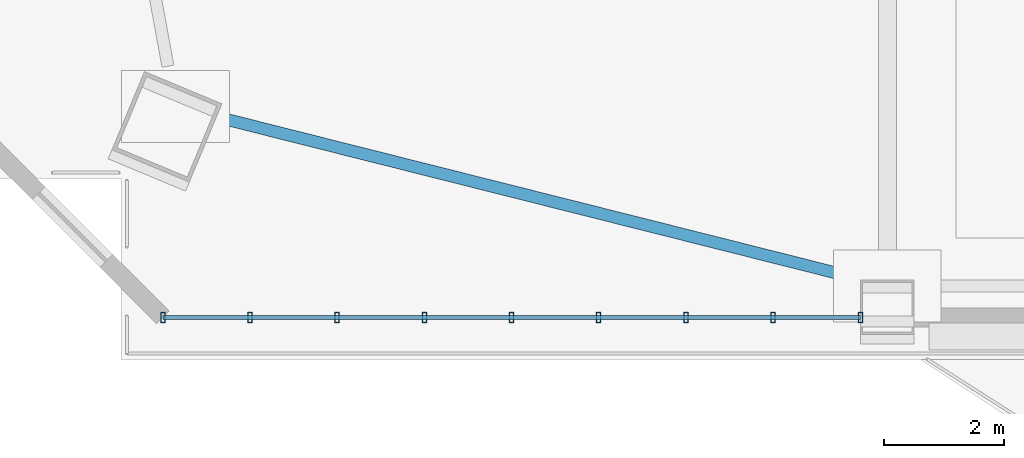
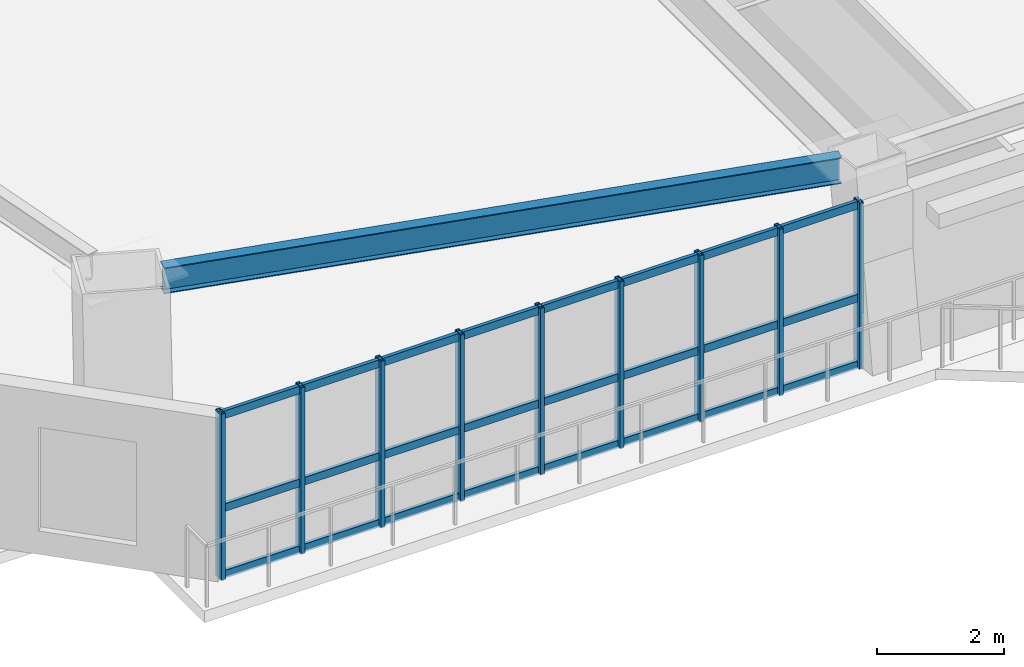
# One storey, part 2 of 15: 12 members, 1 beam, 1 element without a shape of its own.
"""IFC4 building model written with IfcOpenShell, lengths in metres."""

from ifc_helpers import new_model, si_unit, direction, frame, origin, origin_2d, place, context, subcontext, project, spatial, hollow_rectangle, i_section, extrude, source, transform, mapped, material, layer, layer_set, material_profile, profile_set, type_object, element, aggregate, save


model = new_model("IFC4")

# Units and contexts
model_context = context("Model", 3, precision=1e-05, world=origin(), true_north=direction((0.0, 1.0)))
body_context = subcontext(model_context, "Body", "Model", "MODEL_VIEW")
ifc_project = project(units=[si_unit("LENGTHUNIT", "METRE"), si_unit("AREAUNIT", "SQUARE_METRE"), si_unit("VOLUMEUNIT", "CUBIC_METRE"), si_unit("PLANEANGLEUNIT", "RADIAN"), si_unit("MASSUNIT", "GRAM", prefix="KILO")], contexts=[model_context])

# Site, building, storey
site_placement = place(None, origin())
site = spatial("IfcSite", under=ifc_project, at=site_placement, CompositionType="ELEMENT")
building_placement = place(site_placement, origin())
building = spatial("IfcBuilding", under=site, at=building_placement, Name="Giltprow Tower", CompositionType="ELEMENT")
storey_placement = place(building_placement, frame((0.0, 0.0, 119.199951171875)))
storey = spatial("IfcBuildingStorey", under=building, at=storey_placement, Name="L29", CompositionType="ELEMENT", Elevation=119.199951171875)

# Beam
ifc_material_1 = material(Name="Structural steel Q355B", Category="steel")
ifc_material_profile_1 = material_profile(ifc_material_1, i_section(OverallWidth=0.199951171875, OverallDepth=0.5, WebThickness=0.010009765625, FlangeThickness=0.01611328125, at=origin_2d()), Name="HN 500x200x10x16")
ifc_profile_set_1 = profile_set([ifc_material_profile_1], Name="Structural steel Q355B")
beam_type = type_object("IfcBeamType", Name="BM-SPAN-HN500", PredefinedType="SPANDREL", material=ifc_profile_set_1)
shared_shape_1 = source(origin(), body_context, "Body", "SweptSolid", [
    extrude(i_section(OverallWidth=0.199951171875, OverallDepth=0.5, WebThickness=0.010009765625, FlangeThickness=0.01611328125, at=origin_2d()), origin(), (0.0, 0.0, 1.0), 11.130859375),
])
beam_placement = place(storey_placement, frame((8.634033203125, 10.342041015625, 3.429931640625), z_axis=(0.969728226773, -0.244186744519, 0.0), x_axis=(0.244186744519, 0.969728226773, 0.0)))
element("IfcBeam", 1, at=beam_placement, inside=storey, type_object=beam_type, Name="L29 Perimeter Spandrel Beam MC_SW-S1", PredefinedType="SPANDREL", context=body_context, shape_type="MappedRepresentation", body=[
    mapped(shared_shape_1, transform((0.0, 0.0, 0.0), x_axis=(1.0, 0.0, 0.0), y_axis=(0.0, 1.0, 0.0), z_axis=(0.0, 0.0, 1.0), scale=1.0)),
])

# Curtain wall, members
ifc_material_2 = material(Name="Anodized bronze", Category="metal")
ifc_layer = layer(ifc_material_2, 0.179931640625, Name="Anodized bronze")
ifc_layer_set = layer_set([ifc_layer], Name="Anodized bronze")
curtain_wall_type = type_object("IfcCurtainWallType", Name="CW-OFF-RECESSED", PredefinedType="NOTDEFINED", material=ifc_layer_set)
curtain_wall_placement = place(storey_placement, origin())
curtain_wall = element("IfcCurtainWall", 2, at=curtain_wall_placement, inside=storey, type_object=curtain_wall_type, Name="L29 South Recessed Curtain Wall 1", PredefinedType="NOTDEFINED")
ifc_material_profile_2 = material_profile(ifc_material_2, hollow_rectangle(XDim=0.074951171875, YDim=0.179931640625, WallThickness=0.008056640625, at=origin_2d()), Name="RHS 180x75x8")
ifc_profile_set_2 = profile_set([ifc_material_profile_2], Name="Anodized bronze")
member_type_1 = type_object("IfcMemberType", Name="CW-MULLION-180x75", PredefinedType="MULLION", material=ifc_profile_set_2)
shared_shape_2 = source(origin(), body_context, "Body", "SweptSolid", [
    extrude(hollow_rectangle(XDim=0.074951171875, YDim=0.179931640625, WallThickness=0.008056640625, at=origin_2d()), origin(), (0.0, 0.0, 1.0), 3.215087890625),
])
member_1_placement = place(storey_placement, frame((7.760986328125, 6.989990234375, -0.02001953125), z_axis=(0.0, 0.0, 1.0), x_axis=(1.0, 0.0, 0.0)))
member_1 = element("IfcMember", 3, at=member_1_placement, type_object=member_type_1, Name="L29 South Recessed Curtain Wall 1 Mullion 1", PredefinedType="MULLION", context=body_context, shape_type="MappedRepresentation", body=[
    mapped(shared_shape_2, transform((0.0, 0.0, 0.0), x_axis=(1.0, 0.0, 0.0), y_axis=(0.0, 1.0, 0.0), z_axis=(0.0, 0.0, 1.0), scale=1.0)),
])
member_2_placement = place(storey_placement, frame((9.216064453125, 6.989990234375, -0.02001953125), z_axis=(0.0, 0.0, 1.0), x_axis=(1.0, 0.0, 0.0)))
member_2 = element("IfcMember", 4, at=member_2_placement, type_object=member_type_1, Name="L29 South Recessed Curtain Wall 1 Mullion 2", PredefinedType="MULLION", context=body_context, shape_type="MappedRepresentation", body=[
    mapped(shared_shape_2, transform((0.0, 0.0, 0.0), x_axis=(1.0, 0.0, 0.0), y_axis=(0.0, 1.0, 0.0), z_axis=(0.0, 0.0, 1.0), scale=1.0)),
])
member_3_placement = place(storey_placement, frame((10.6708984375, 6.989990234375, -0.02001953125), z_axis=(0.0, 0.0, 1.0), x_axis=(1.0, 0.0, 0.0)))
member_3 = element("IfcMember", 5, at=member_3_placement, type_object=member_type_1, Name="L29 South Recessed Curtain Wall 1 Mullion 3", PredefinedType="MULLION", context=body_context, shape_type="MappedRepresentation", body=[
    mapped(shared_shape_2, transform((0.0, 0.0, 0.0), x_axis=(1.0, 0.0, 0.0), y_axis=(0.0, 1.0, 0.0), z_axis=(0.0, 0.0, 1.0), scale=1.0)),
])
member_4_placement = place(storey_placement, frame((12.1259765625, 6.989990234375, -0.02001953125), z_axis=(0.0, 0.0, 1.0), x_axis=(1.0, 0.0, 0.0)))
member_4 = element("IfcMember", 6, at=member_4_placement, type_object=member_type_1, Name="L29 South Recessed Curtain Wall 1 Mullion 4", PredefinedType="MULLION", context=body_context, shape_type="MappedRepresentation", body=[
    mapped(shared_shape_2, transform((0.0, 0.0, 0.0), x_axis=(1.0, 0.0, 0.0), y_axis=(0.0, 1.0, 0.0), z_axis=(0.0, 0.0, 1.0), scale=1.0)),
])
member_5_placement = place(storey_placement, frame((13.5810546875, 6.989990234375, -0.02001953125), z_axis=(0.0, 0.0, 1.0), x_axis=(1.0, 0.0, 0.0)))
member_5 = element("IfcMember", 7, at=member_5_placement, type_object=member_type_1, Name="L29 South Recessed Curtain Wall 1 Mullion 5", PredefinedType="MULLION", context=body_context, shape_type="MappedRepresentation", body=[
    mapped(shared_shape_2, transform((0.0, 0.0, 0.0), x_axis=(1.0, 0.0, 0.0), y_axis=(0.0, 1.0, 0.0), z_axis=(0.0, 0.0, 1.0), scale=1.0)),
])
member_6_placement = place(storey_placement, frame((15.034912109375, 6.989990234375, -0.02001953125), z_axis=(0.0, 0.0, 1.0), x_axis=(1.0, 0.0, 0.0)))
member_6 = element("IfcMember", 8, at=member_6_placement, type_object=member_type_1, Name="L29 South Recessed Curtain Wall 1 Mullion 6", PredefinedType="MULLION", context=body_context, shape_type="MappedRepresentation", body=[
    mapped(shared_shape_2, transform((0.0, 0.0, 0.0), x_axis=(1.0, 0.0, 0.0), y_axis=(0.0, 1.0, 0.0), z_axis=(0.0, 0.0, 1.0), scale=1.0)),
])
member_7_placement = place(storey_placement, frame((16.489990234375, 6.989990234375, -0.02001953125), z_axis=(0.0, 0.0, 1.0), x_axis=(1.0, 0.0, 0.0)))
member_7 = element("IfcMember", 9, at=member_7_placement, type_object=member_type_1, Name="L29 South Recessed Curtain Wall 1 Mullion 7", PredefinedType="MULLION", context=body_context, shape_type="MappedRepresentation", body=[
    mapped(shared_shape_2, transform((0.0, 0.0, 0.0), x_axis=(1.0, 0.0, 0.0), y_axis=(0.0, 1.0, 0.0), z_axis=(0.0, 0.0, 1.0), scale=1.0)),
])
member_8_placement = place(storey_placement, frame((17.945068359375, 6.989990234375, -0.02001953125), z_axis=(0.0, 0.0, 1.0), x_axis=(1.0, 0.0, 0.0)))
member_8 = element("IfcMember", 10, at=member_8_placement, type_object=member_type_1, Name="L29 South Recessed Curtain Wall 1 Mullion 8", PredefinedType="MULLION", context=body_context, shape_type="MappedRepresentation", body=[
    mapped(shared_shape_2, transform((0.0, 0.0, 0.0), x_axis=(1.0, 0.0, 0.0), y_axis=(0.0, 1.0, 0.0), z_axis=(0.0, 0.0, 1.0), scale=1.0)),
])
member_9_placement = place(storey_placement, frame((19.39990234375, 6.989990234375, -0.02001953125), z_axis=(0.0, 0.0, 1.0), x_axis=(1.0, 0.0, 0.0)))
member_9 = element("IfcMember", 11, at=member_9_placement, type_object=member_type_1, Name="L29 South Recessed Curtain Wall 1 Mullion 9", PredefinedType="MULLION", context=body_context, shape_type="MappedRepresentation", body=[
    mapped(shared_shape_2, transform((0.0, 0.0, 0.0), x_axis=(1.0, 0.0, 0.0), y_axis=(0.0, 1.0, 0.0), z_axis=(0.0, 0.0, 1.0), scale=1.0)),
])
ifc_material_profile_3 = material_profile(ifc_material_2, hollow_rectangle(XDim=0.06494140625, YDim=0.14990234375, WallThickness=0.006103515625, at=origin_2d()), Name="RHS 150x65x6")
ifc_profile_set_3 = profile_set([ifc_material_profile_3], Name="Anodized bronze")
member_type_2 = type_object("IfcMemberType", Name="CW-TRANSOM-150x65", PredefinedType="USERDEFINED", material=ifc_profile_set_3)
shared_shape_3 = source(origin(), body_context, "Body", "SweptSolid", [
    extrude(hollow_rectangle(XDim=0.06494140625, YDim=0.14990234375, WallThickness=0.006103515625, at=origin_2d()), origin(), (0.0, 0.0, 1.0), 11.638916015625),
])
member_10_placement = place(storey_placement, frame((7.760986328125, 6.989990234375, 0.0400390625), z_axis=(1.0, 0.0, 0.0), x_axis=(0.0, 1.0, 0.0)))
member_10 = element("IfcMember", 12, at=member_10_placement, type_object=member_type_2, Name="L29 South Recessed Curtain Wall 1 Transom 1", ObjectType="TRANSOM", PredefinedType="USERDEFINED", context=body_context, shape_type="MappedRepresentation", body=[
    mapped(shared_shape_3, transform((0.0, 0.0, 0.0), x_axis=(1.0, 0.0, 0.0), y_axis=(0.0, 1.0, 0.0), z_axis=(0.0, 0.0, 1.0), scale=1.0)),
])
member_11_placement = place(storey_placement, frame((7.760986328125, 6.989990234375, 1.3271484375), z_axis=(1.0, 0.0, 0.0), x_axis=(0.0, 1.0, 0.0)))
member_11 = element("IfcMember", 13, at=member_11_placement, type_object=member_type_2, Name="L29 South Recessed Curtain Wall 1 Transom 2", ObjectType="TRANSOM", PredefinedType="USERDEFINED", context=body_context, shape_type="MappedRepresentation", body=[
    mapped(shared_shape_3, transform((0.0, 0.0, 0.0), x_axis=(1.0, 0.0, 0.0), y_axis=(0.0, 1.0, 0.0), z_axis=(0.0, 0.0, 1.0), scale=1.0)),
])
member_12_placement = place(storey_placement, frame((7.760986328125, 6.989990234375, 3.1201171875), z_axis=(1.0, 0.0, 0.0), x_axis=(0.0, 1.0, 0.0)))
member_12 = element("IfcMember", 14, at=member_12_placement, type_object=member_type_2, Name="L29 South Recessed Curtain Wall 1 Transom 3", ObjectType="TRANSOM", PredefinedType="USERDEFINED", context=body_context, shape_type="MappedRepresentation", body=[
    mapped(shared_shape_3, transform((0.0, 0.0, 0.0), x_axis=(1.0, 0.0, 0.0), y_axis=(0.0, 1.0, 0.0), z_axis=(0.0, 0.0, 1.0), scale=1.0)),
])
aggregate(curtain_wall, [member_1, member_2, member_3, member_4, member_5, member_6, member_7, member_8, member_9, member_10, member_11, member_12])

save(model, "model.ifc")
